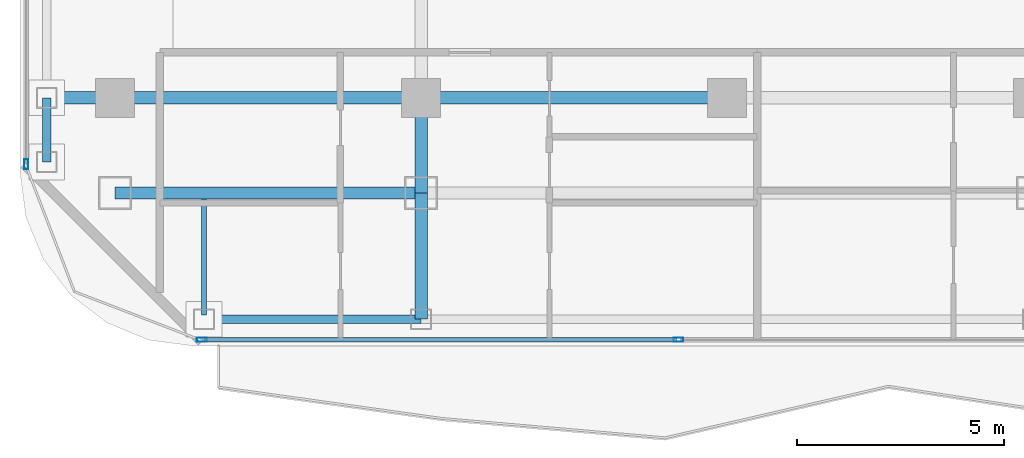
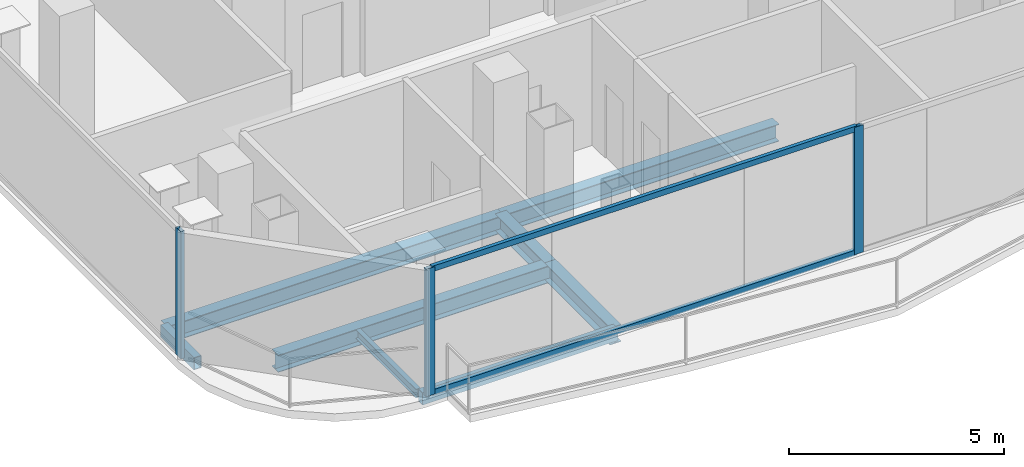
# One storey, part 2 of 22: 8 beams, 5 members, 2 elements without a shape of their own.
"""IFC4 building model written with IfcOpenShell, lengths in metres."""

from ifc_helpers import new_model, si_unit, direction, frame, origin, origin_2d, place, context, subcontext, project, spatial, hollow_rectangle, i_section, extrude, material, layer, layer_set, material_profile, profile_set, type_object, element, aggregate, save


model = new_model("IFC4")

# Units and contexts
model_context = context("Model", 3, precision=1e-05, world=origin(), true_north=direction((0.0, 1.0)))
body_context = subcontext(model_context, "Body", "Model", "MODEL_VIEW")
ifc_project = project(units=[si_unit("LENGTHUNIT", "METRE"), si_unit("AREAUNIT", "SQUARE_METRE"), si_unit("VOLUMEUNIT", "CUBIC_METRE"), si_unit("PLANEANGLEUNIT", "RADIAN"), si_unit("MASSUNIT", "GRAM", prefix="KILO")], contexts=[model_context])

# Site, building, storey
site_placement = place(None, origin())
site = spatial("IfcSite", under=ifc_project, at=site_placement, CompositionType="ELEMENT")
building_placement = place(site_placement, origin())
building = spatial("IfcBuilding", under=site, at=building_placement, Name="Khorvyn Point Tower", CompositionType="ELEMENT")
storey_placement = place(building_placement, frame((0.0, 0.0, 282.0)))
storey = spatial("IfcBuildingStorey", under=building, at=storey_placement, Name="L69", CompositionType="ELEMENT", Elevation=282.0)

# Curtain wall, members
ifc_material_1 = material(Name="Anodised aluminium 6063-T6 and laminated Low-E glass", Category="aluminium")
ifc_layer = layer(ifc_material_1, 0.18994140625)
ifc_layer_set = layer_set([ifc_layer], Name="Stick-Built High-Wind Curtain Wall CW-SYS-04")
curtain_wall_type = type_object("IfcCurtainWallType", Name="Stick-Built High-Wind Curtain Wall CW-SYS-04", PredefinedType="NOTDEFINED", material=ifc_layer_set)
curtain_wall_1_placement = place(storey_placement, origin())
curtain_wall_1 = element("IfcCurtainWall", 1, at=curtain_wall_1_placement, inside=storey, type_object=curtain_wall_type, Name="Curtain Wall", PredefinedType="NOTDEFINED")
ifc_material_2 = material(Name="Anodised aluminium 6063-T6", Category="aluminium")
ifc_material_profile_1 = material_profile(ifc_material_2, hollow_rectangle(XDim=0.10009765625, YDim=0.239990234375, WallThickness=0.0048828125, at=origin_2d()))
ifc_profile_set_1 = profile_set([ifc_material_profile_1], Name="Anodised aluminium 6063-T6 ALU-MUL-100x240")
member_type_1 = type_object("IfcMemberType", Name="Anodised Aluminium 6063-T6 Mullion ALU-MUL-100x240", PredefinedType="MULLION", material=ifc_profile_set_1)
member_1_placement = place(storey_placement, frame((-1.173095703125, -20.64990234375, 0.0), z_axis=(0.0, 0.0, 1.0), x_axis=(0.0, -1.0, 0.0)))
member_1 = element("IfcMember", 2, at=member_1_placement, type_object=member_type_1, Name="Transom", PredefinedType="MULLION", context=body_context, shape_type="SweptSolid", body=[
    extrude(hollow_rectangle(XDim=0.10009765625, YDim=0.239990234375, WallThickness=0.0048828125, at=origin_2d()), origin(), (0.0, 0.0, 1.0), 3.6201171875),
])
member_2_placement = place(storey_placement, frame((-12.699951171875, -20.64990234375, 0.0), z_axis=(0.0, 0.0, 1.0), x_axis=(0.0, -1.0, 0.0)))
member_2 = element("IfcMember", 3, at=member_2_placement, type_object=member_type_1, Name="Transom", PredefinedType="MULLION", context=body_context, shape_type="SweptSolid", body=[
    extrude(hollow_rectangle(XDim=0.10009765625, YDim=0.239990234375, WallThickness=0.0048828125, at=origin_2d()), origin(), (0.0, 0.0, 1.0), 3.6201171875),
])

# Curtain wall, member
curtain_wall_2_placement = place(storey_placement, origin())
curtain_wall_2 = element("IfcCurtainWall", 4, at=curtain_wall_2_placement, inside=storey, type_object=curtain_wall_type, Name="Curtain Wall", PredefinedType="NOTDEFINED")
member_3_placement = place(storey_placement, frame((-16.949951171875, -16.39990234375, 0.0), z_axis=(0.0, 0.0, 1.0), x_axis=(-1.0, 0.0, 0.0)))
member_3 = element("IfcMember", 5, at=member_3_placement, type_object=member_type_1, Name="Transom", PredefinedType="MULLION", context=body_context, shape_type="SweptSolid", body=[
    extrude(hollow_rectangle(XDim=0.10009765625, YDim=0.239990234375, WallThickness=0.0048828125, at=origin_2d()), origin(), (0.0, 0.0, 1.0), 3.6201171875),
])
aggregate(curtain_wall_2, [member_3])

# Member
ifc_material_profile_2 = material_profile(ifc_material_2, hollow_rectangle(XDim=0.10009765625, YDim=0.159912109375, WallThickness=0.00439453125, at=origin_2d()))
ifc_profile_set_2 = profile_set([ifc_material_profile_2], Name="Anodised aluminium 6063-T6 ALU-TRN-100x160")
member_type_2 = type_object("IfcMemberType", Name="Anodised Aluminium 6063-T6 Transom ALU-TRN-100x160", PredefinedType="USERDEFINED", material=ifc_profile_set_2)
member_4_placement = place(storey_placement, frame((-1.222900390625, -20.64990234375, 0.050048828125), z_axis=(-1.0, 0.0, 0.0), x_axis=(0.0, -1.0, 0.0)))
member_4 = element("IfcMember", 6, at=member_4_placement, type_object=member_type_2, Name="Transom", ObjectType="TRANSOM", PredefinedType="USERDEFINED", context=body_context, shape_type="SweptSolid", body=[
    extrude(hollow_rectangle(XDim=0.10009765625, YDim=0.159912109375, WallThickness=0.00439453125, at=origin_2d()), origin(), (0.0, 0.0, 1.0), 11.427001953125),
])

member_5_placement = place(storey_placement, frame((-1.222900390625, -20.64990234375, 3.570068359375), z_axis=(-1.0, 0.0, 0.0), x_axis=(0.0, -1.0, 0.0)))
member_5 = element("IfcMember", 7, at=member_5_placement, type_object=member_type_2, Name="Transom", ObjectType="TRANSOM", PredefinedType="USERDEFINED", context=body_context, shape_type="SweptSolid", body=[
    extrude(hollow_rectangle(XDim=0.10009765625, YDim=0.159912109375, WallThickness=0.00439453125, at=origin_2d()), origin(), (0.0, 0.0, 1.0), 11.427001953125),
])

aggregate(curtain_wall_1, [member_1, member_2, member_4, member_5])

# Beams
ifc_material_3 = material(Name="Steel S355", Category="steel")
ifc_material_profile_3 = material_profile(ifc_material_3, i_section(OverallWidth=0.125, OverallDepth=0.25, WebThickness=0.006103515625, FlangeThickness=0.009033203125, at=origin_2d()))
ifc_profile_set_3 = profile_set([ifc_material_profile_3], Name="Steel S355 H250x125x6x9")
beam_type_1 = type_object("IfcBeamType", Name="Steel S355 Joist H250x125x6x9", PredefinedType="JOIST", material=ifc_profile_set_3)
beam_1_placement = place(storey_placement, frame((-12.64990234375, -20.050048828125, -0.344970703125), z_axis=(0.0, 1.0, 0.0), x_axis=(-1.0, 0.0, 0.0)))
element("IfcBeam", 8, at=beam_1_placement, inside=storey, type_object=beam_type_1, Name="Beam", PredefinedType="JOIST", context=body_context, shape_type="SweptSolid", body=[
    extrude(i_section(OverallWidth=0.125, OverallDepth=0.25, WebThickness=0.006103515625, FlangeThickness=0.009033203125, at=origin_2d()), origin(), (0.0, 0.0, 1.0), 2.800048828125),
])
ifc_material_profile_4 = material_profile(ifc_material_3, i_section(OverallWidth=0.300048828125, OverallDepth=0.488037109375, WebThickness=0.010986328125, FlangeThickness=0.01806640625, at=origin_2d()))
ifc_profile_set_4 = profile_set([ifc_material_profile_4], Name="Steel S355 H488x300x11x18")
beam_type_2 = type_object("IfcBeamType", Name="Steel S355 Spandrel H488x300x11x18", PredefinedType="SPANDREL", material=ifc_profile_set_4)
beam_2_placement = place(storey_placement, frame((-16.449951171875, -14.800048828125, -0.464111328125), z_axis=(1.0, 0.0, 0.0), x_axis=(0.0, 1.0, 0.0)))
element("IfcBeam", 9, at=beam_2_placement, inside=storey, type_object=beam_type_2, Name="Beam", PredefinedType="SPANDREL", context=body_context, shape_type="SweptSolid", body=[
    extrude(i_section(OverallWidth=0.300048828125, OverallDepth=0.488037109375, WebThickness=0.010986328125, FlangeThickness=0.01806640625, at=origin_2d()), origin(), (0.0, 0.0, 1.0), 9.050048828125),
])
beam_3_placement = place(storey_placement, frame((-7.39990234375, -14.800048828125, -0.464111328125), z_axis=(1.0, 0.0, 0.0), x_axis=(0.0, 1.0, 0.0)))
element("IfcBeam", 10, at=beam_3_placement, inside=storey, type_object=beam_type_2, Name="Beam", PredefinedType="SPANDREL", context=body_context, shape_type="SweptSolid", body=[
    extrude(i_section(OverallWidth=0.300048828125, OverallDepth=0.488037109375, WebThickness=0.010986328125, FlangeThickness=0.01806640625, at=origin_2d()), origin(), (0.0, 0.0, 1.0), 7.39990234375),
])
beam_4_placement = place(storey_placement, frame((-14.800048828125, -17.10009765625, -0.464111328125), z_axis=(1.0, 0.0, 0.0), x_axis=(0.0, 1.0, 0.0)))
element("IfcBeam", 11, at=beam_4_placement, inside=storey, type_object=beam_type_2, Name="Beam", PredefinedType="SPANDREL", context=body_context, shape_type="SweptSolid", body=[
    extrude(i_section(OverallWidth=0.300048828125, OverallDepth=0.488037109375, WebThickness=0.010986328125, FlangeThickness=0.01806640625, at=origin_2d()), origin(), (0.0, 0.0, 1.0), 7.400146484375),
])
beam_5_placement = place(storey_placement, frame((-7.39990234375, -20.14990234375, -0.464111328125), z_axis=(0.0, 1.0, 0.0), x_axis=(-1.0, 0.0, 0.0)))
element("IfcBeam", 12, at=beam_5_placement, inside=storey, type_object=beam_type_2, Name="Beam", PredefinedType="SPANDREL", context=body_context, shape_type="SweptSolid", body=[
    extrude(i_section(OverallWidth=0.300048828125, OverallDepth=0.488037109375, WebThickness=0.010986328125, FlangeThickness=0.01806640625, at=origin_2d()), origin(), (0.0, 0.0, 1.0), 3.0498046875),
])
beam_6_placement = place(storey_placement, frame((-7.39990234375, -17.10009765625, -0.464111328125), z_axis=(0.0, 1.0, 0.0), x_axis=(-1.0, 0.0, 0.0)))
element("IfcBeam", 13, at=beam_6_placement, inside=storey, type_object=beam_type_2, Name="Beam", PredefinedType="SPANDREL", context=body_context, shape_type="SweptSolid", body=[
    extrude(i_section(OverallWidth=0.300048828125, OverallDepth=0.488037109375, WebThickness=0.010986328125, FlangeThickness=0.01806640625, at=origin_2d()), origin(), (0.0, 0.0, 1.0), 2.300048828125),
])
ifc_material_profile_5 = material_profile(ifc_material_3, hollow_rectangle(XDim=0.199951171875, YDim=0.35009765625, WallThickness=0.013916015625, at=origin_2d()))
ifc_profile_set_5 = profile_set([ifc_material_profile_5], Name="Steel S355 RHS350x200x14")
beam_type_3 = type_object("IfcBeamType", Name="Steel S355 Spandrel RHS350x200x14", PredefinedType="SPANDREL", material=ifc_profile_set_5)
beam_7_placement = place(storey_placement, frame((-12.64990234375, -20.14990234375, -0.39501953125), z_axis=(1.0, 0.0, 0.0), x_axis=(0.0, 1.0, 0.0)))
element("IfcBeam", 14, at=beam_7_placement, inside=storey, type_object=beam_type_3, Name="Beam", PredefinedType="SPANDREL", context=body_context, shape_type="SweptSolid", body=[
    extrude(hollow_rectangle(XDim=0.199951171875, YDim=0.35009765625, WallThickness=0.013916015625, at=origin_2d()), origin(), (0.0, 0.0, 1.0), 5.25),
])
beam_8_placement = place(storey_placement, frame((-16.449951171875, -16.35009765625, -0.39501953125), z_axis=(0.0, 1.0, 0.0), x_axis=(-1.0, 0.0, 0.0)))
element("IfcBeam", 15, at=beam_8_placement, inside=storey, type_object=beam_type_3, Name="Beam", PredefinedType="SPANDREL", context=body_context, shape_type="SweptSolid", body=[
    extrude(hollow_rectangle(XDim=0.199951171875, YDim=0.35009765625, WallThickness=0.013916015625, at=origin_2d()), origin(), (0.0, 0.0, 1.0), 1.550048828125),
])

save(model, "model.ifc")
